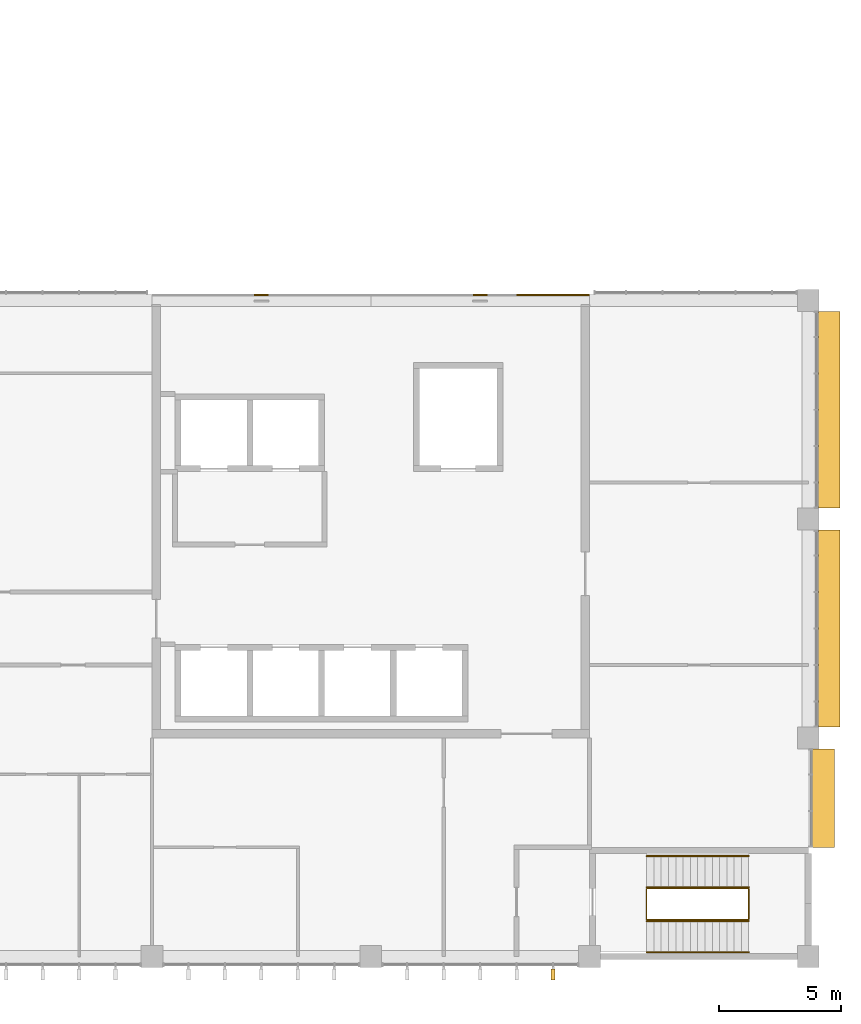
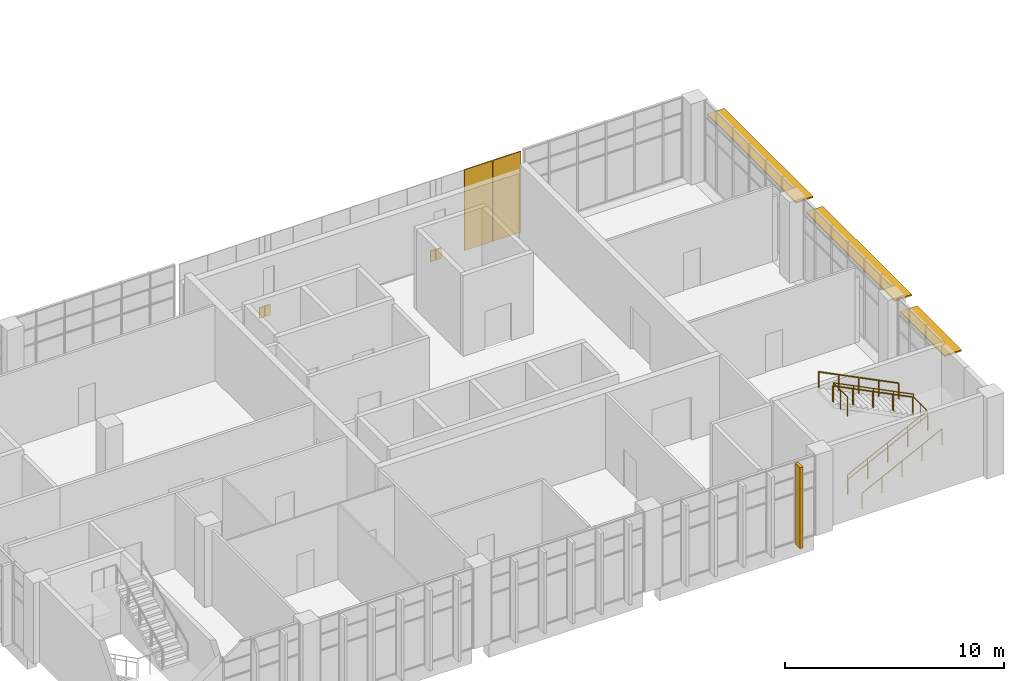
# One storey, part 44 of 45: 6 coverings, 5 railings, 4 shading devices.
"""IFC4 building model written with IfcOpenShell, lengths in metres."""

from ifc_helpers import new_model, si_unit, direction, frame, origin, origin_2d, place, context, subcontext, project, spatial, rectangle, circle, extrude, material, layer, layer_set, type_object, element, save


model = new_model("IFC4")

# Units and contexts
model_context = context("Model", 3, precision=1e-05, world=origin(), true_north=direction((0.0, 1.0)))
body_context = subcontext(model_context, "Body", "Model", "MODEL_VIEW")
ifc_project = project(units=[si_unit("LENGTHUNIT", "METRE"), si_unit("AREAUNIT", "SQUARE_METRE"), si_unit("VOLUMEUNIT", "CUBIC_METRE"), si_unit("PLANEANGLEUNIT", "RADIAN"), si_unit("MASSUNIT", "GRAM", prefix="KILO")], contexts=[model_context])

# Site, building, storey
site_placement = place(None, origin())
site = spatial("IfcSite", under=ifc_project, at=site_placement, CompositionType="ELEMENT")
building_placement = place(site_placement, origin())
building = spatial("IfcBuilding", under=site, at=building_placement, Name="Guidao Yard Department Store", CompositionType="ELEMENT")
storey_placement = place(building_placement, frame((0.0, 0.0, 19.5)))
storey = spatial("IfcBuildingStorey", under=building, at=storey_placement, Name="L04", CompositionType="ELEMENT", Elevation=19.5)

# Coverings
ifc_material_1 = material(Name="Anodised aluminium 6063-T5 cladding", Category="aluminium")
ifc_layer_1 = layer(ifc_material_1, 0.050048828125)
ifc_layer_set_1 = layer_set([ifc_layer_1], Name="Facade cladding CP1 anodised aluminium panel 6063")
covering_type = type_object("IfcCoveringType", Name="Facade cladding CP1 anodised aluminium panel 6063", PredefinedType="CLADDING", material=ifc_layer_set_1)
for number, where, z_axis, x_axis, name in (
    (1, (148.35009765625, 27.22509765625, 0.0), (0.0, 0.0, 1.0), (1.0, 0.0, 0.0), "Core face cladding"),
    (2, (148.64990234375, 27.22509765625, 0.0), (0.0, 0.0, 1.0), (1.0, 0.0, 0.0), "Core face cladding"),
    (3, (157.35009765625, 27.22509765625, 0.0), (0.0, 0.0, 1.0), (1.0, 0.0, 0.0), "Core face cladding"),
    (4, (157.64990234375, 27.22509765625, 0.0), (0.0, 0.0, 1.0), (1.0, 0.0, 0.0), "Core face cladding"),
):
    element("IfcCovering", number, at=place(storey_placement, frame(where, z_axis=z_axis, x_axis=x_axis)), inside=storey, type_object=covering_type, Name=name, PredefinedType="CLADDING", context=body_context, shape_type="SweptSolid", body=[
        extrude(rectangle(XDim=0.280029296875, YDim=0.050048828125, at=origin_2d()), origin(), (0.0, 0.0, 1.0), 0.60009765625),
    ])
for number, where, z_axis, x_axis, name in (
    (5, (159.75, 27.22509765625, 0.0), (0.0, 0.0, 1.0), (1.0, 0.0, 0.0), "Core face cladding"),
    (6, (161.25, 27.22509765625, 0.0), (0.0, 0.0, 1.0), (1.0, 0.0, 0.0), "Core face cladding"),
):
    element("IfcCovering", number, at=place(storey_placement, frame(where, z_axis=z_axis, x_axis=x_axis)), inside=storey, type_object=covering_type, Name=name, PredefinedType="CLADDING", context=body_context, shape_type="SweptSolid", body=[
        extrude(rectangle(XDim=1.47998046875, YDim=0.050048828125, at=origin_2d()), origin(), (0.0, 0.0, 1.0), 4.5),
    ])

# Railings
ifc_material_2 = material(Name="Steel Q235", Category="steel")
railing_type_1 = type_object("IfcRailingType", Name="Guard steel balustrade 1100", PredefinedType="GUARDRAIL", material=ifc_material_2)
railing_placement = place(storey_placement, frame((164.35009765625, 1.52490234375, 0.14990234375)))
element("IfcRailing", 7, at=railing_placement, inside=storey, type_object=railing_type_1, Name="Stair O2 guard L04 10", PredefinedType="GUARDRAIL", context=body_context, shape_type="SweptSolid", body=[
    extrude(circle(Radius=0.02392578125, at=origin_2d()), frame((0.0, 0.0, 1.076171875), z_axis=(0.894416792377, 0.0, 0.447234392142), x_axis=(0.0, 1.0, 0.0)), (0.0, 0.0, 1.0), 4.69580078125),
    extrude(circle(Radius=0.02392578125, at=origin_2d()), frame((4.199951171875, 0.0, 3.17626953125), z_axis=(0.0, 1.0, 0.0), x_axis=(-1.0, 0.0, 0.0)), (0.0, 0.0, 1.0), 1.275146484375),
    extrude(circle(Radius=0.02392578125, at=origin_2d()), frame((4.199951171875, 1.275146484375, 3.17626953125), z_axis=(0.0, 0.0, 1.0), x_axis=(1.0, 0.0, 0.0)), (0.0, 0.0, 1.0), 0.14990234375),
    extrude(circle(Radius=0.02392578125, at=origin_2d()), frame((4.199951171875, 1.275146484375, 3.326171875), z_axis=(-0.894416792377, 0.0, 0.447234392142), x_axis=(0.0, -1.0, 0.0)), (0.0, 0.0, 1.0), 4.69580078125),
    extrude(circle(Radius=0.02392578125, at=origin_2d()), frame((0.0, 1.275146484375, 5.42626953125), z_axis=(0.0, -1.0, 0.0), x_axis=(1.0, 0.0, 0.0)), (0.0, 0.0, 1.0), 1.275146484375),
    extrude(circle(Radius=0.02099609375, at=origin_2d()), origin(), (0.0, 0.0, 1.0), 1.052001953125),
    extrude(circle(Radius=0.02099609375, at=origin_2d()), frame((1.050048828125, 0.0, 0.52490234375)), (0.0, 0.0, 1.0), 1.052001953125),
    extrude(circle(Radius=0.02099609375, at=origin_2d()), frame((2.10009765625, 0.0, 1.050048828125)), (0.0, 0.0, 1.0), 1.052001953125),
    extrude(circle(Radius=0.02099609375, at=origin_2d()), frame((3.14990234375, 0.0, 1.5751953125)), (0.0, 0.0, 1.0), 1.052001953125),
    extrude(circle(Radius=0.02099609375, at=origin_2d()), frame((4.199951171875, 0.0, 2.10009765625)), (0.0, 0.0, 1.0), 1.052001953125),
    extrude(circle(Radius=0.02099609375, at=origin_2d()), frame((4.199951171875, 0.6376953125, 2.10009765625)), (0.0, 0.0, 1.0), 1.052001953125),
    extrude(circle(Radius=0.02099609375, at=origin_2d()), frame((4.199951171875, 1.275146484375, 2.10009765625)), (0.0, 0.0, 1.0), 1.052001953125),
    extrude(circle(Radius=0.02099609375, at=origin_2d()), frame((4.199951171875, 1.275146484375, 2.25)), (0.0, 0.0, 1.0), 1.052001953125),
    extrude(circle(Radius=0.02099609375, at=origin_2d()), frame((3.14990234375, 1.275146484375, 2.77490234375)), (0.0, 0.0, 1.0), 1.052001953125),
    extrude(circle(Radius=0.02099609375, at=origin_2d()), frame((2.10009765625, 1.275146484375, 3.300048828125)), (0.0, 0.0, 1.0), 1.052001953125),
    extrude(circle(Radius=0.02099609375, at=origin_2d()), frame((1.050048828125, 1.275146484375, 3.8251953125)), (0.0, 0.0, 1.0), 1.052001953125),
    extrude(circle(Radius=0.02099609375, at=origin_2d()), frame((0.0, 1.275146484375, 4.35009765625)), (0.0, 0.0, 1.0), 1.052001953125),
    extrude(circle(Radius=0.02099609375, at=origin_2d()), frame((0.0, 0.6376953125, 4.35009765625)), (0.0, 0.0, 1.0), 1.052001953125),
    extrude(circle(Radius=0.02099609375, at=origin_2d()), frame((0.0, 0.0, 4.35009765625)), (0.0, 0.0, 1.0), 1.052001953125),
])
ifc_material_3 = material(Name="Steel Q235", Category="steel")
railing_type_2 = type_object("IfcRailingType", Name="Handrail steel tube 48", PredefinedType="HANDRAIL", material=ifc_material_3)
for number, where, name in (
    (8, (164.35009765625, 0.18505859375, 0.14990234375), "Stair O2 hand rail L04 37"),
    (9, (164.35009765625, 1.465087890625, 0.14990234375), "Stair O2 hand rail L04 38"),
):
    element("IfcRailing", number, at=place(storey_placement, frame(where)), inside=storey, type_object=railing_type_2, Name=name, PredefinedType="HANDRAIL", context=body_context, shape_type="SweptSolid", body=[
        extrude(circle(Radius=0.02392578125, at=origin_2d()), frame((0.0, 0.0, 0.8759765625), z_axis=(0.894416792377, 0.0, 0.447234392142), x_axis=(0.0, 1.0, 0.0)), (0.0, 0.0, 1.0), 4.69580078125),
        extrude(circle(Radius=0.02099609375, at=origin_2d()), origin(), (0.0, 0.0, 1.0), 0.851806640625),
        extrude(circle(Radius=0.02099609375, at=origin_2d()), frame((1.050048828125, 0.0, 0.52490234375)), (0.0, 0.0, 1.0), 0.851806640625),
        extrude(circle(Radius=0.02099609375, at=origin_2d()), frame((2.10009765625, 0.0, 1.050048828125)), (0.0, 0.0, 1.0), 0.851806640625),
        extrude(circle(Radius=0.02099609375, at=origin_2d()), frame((3.14990234375, 0.0, 1.5751953125)), (0.0, 0.0, 1.0), 0.851806640625),
        extrude(circle(Radius=0.02099609375, at=origin_2d()), frame((4.199951171875, 0.0, 2.10009765625)), (0.0, 0.0, 1.0), 0.851806640625),
    ])
for number, where, name in (
    (10, (168.550048828125, 2.860107421875, 2.39990234375), "Stair O2 hand rail L04 39"),
    (11, (168.550048828125, 4.139892578125, 2.39990234375), "Stair O2 hand rail L04 40"),
):
    element("IfcRailing", number, at=place(storey_placement, frame(where)), inside=storey, type_object=railing_type_2, Name=name, PredefinedType="HANDRAIL", context=body_context, shape_type="SweptSolid", body=[
        extrude(circle(Radius=0.02392578125, at=origin_2d()), frame((0.0, 0.0, 0.8759765625), z_axis=(-0.894416792377, 0.0, 0.447234392142), x_axis=(0.0, -1.0, 0.0)), (0.0, 0.0, 1.0), 4.69580078125),
        extrude(circle(Radius=0.02099609375, at=origin_2d()), origin(), (0.0, 0.0, 1.0), 0.851806640625),
        extrude(circle(Radius=0.02099609375, at=origin_2d()), frame((-1.050048828125, 0.0, 0.52490234375)), (0.0, 0.0, 1.0), 0.851806640625),
        extrude(circle(Radius=0.02099609375, at=origin_2d()), frame((-2.10009765625, 0.0, 1.050048828125)), (0.0, 0.0, 1.0), 0.851806640625),
        extrude(circle(Radius=0.02099609375, at=origin_2d()), frame((-3.14990234375, 0.0, 1.5751953125)), (0.0, 0.0, 1.0), 0.851806640625),
        extrude(circle(Radius=0.02099609375, at=origin_2d()), frame((-4.199951171875, 0.0, 2.10009765625)), (0.0, 0.0, 1.0), 0.851806640625),
    ])

# Shading devices
ifc_material_4 = material(Name="Aluminium 6063-T5", Category="aluminium")
ifc_layer_2 = layer(ifc_material_4, 0.080078125)
ifc_layer_set_2 = layer_set([ifc_layer_2], Name="Sunshade blade SB1 aluminium")
shading_device_type_1 = type_object("IfcShadingDeviceType", Name="Sunshade blade SB1 aluminium", PredefinedType="SHUTTER", material=ifc_layer_set_2)
shading_device_1_placement = place(storey_placement, frame((171.6298828125, 6.52490234375, 3.599853515625), z_axis=(0.0, 0.0, 1.0), x_axis=(0.0, -1.0, 0.0)))
element("IfcShadingDevice", 12, at=shading_device_1_placement, inside=storey, type_object=shading_device_type_1, Name="Sunshade blade", PredefinedType="SHUTTER", context=body_context, shape_type="SweptSolid", body=[
    extrude(rectangle(XDim=4.050048828125, YDim=0.89990234375, at=origin_2d()), origin(), (0.0, 0.0, 1.0), 0.080078125),
])
for number, where, z_axis, x_axis, name in (
    (13, (171.860107421875, 13.5, 3.599853515625), (0.0, 0.0, 1.0), (0.0, -1.0, 0.0), "Sunshade blade"),
    (14, (171.860107421875, 22.5, 3.599853515625), (0.0, 0.0, 1.0), (0.0, -1.0, 0.0), "Sunshade blade"),
):
    element("IfcShadingDevice", number, at=place(storey_placement, frame(where, z_axis=z_axis, x_axis=x_axis)), inside=storey, type_object=shading_device_type_1, Name=name, PredefinedType="SHUTTER", context=body_context, shape_type="SweptSolid", body=[
        extrude(rectangle(XDim=8.10009765625, YDim=0.89990234375, at=origin_2d()), origin(), (0.0, 0.0, 1.0), 0.080078125),
    ])
ifc_material_5 = material(Name="Aluminium 6063-T5", Category="aluminium")
shading_device_type_2 = type_object("IfcShadingDeviceType", Name="Vertical fin FN2 aluminium 150 x 450", PredefinedType="SHUTTER", material=ifc_material_5)
shading_device_2_placement = place(storey_placement, frame((160.5, -0.735107421875, 0.0), z_axis=(0.0, 0.0, 1.0), x_axis=(-1.0, 0.0, 0.0)))
element("IfcShadingDevice", 15, at=shading_device_2_placement, inside=storey, type_object=shading_device_type_2, Name="Vertical fin", PredefinedType="SHUTTER", context=body_context, shape_type="SweptSolid", body=[
    extrude(rectangle(XDim=0.14990234375, YDim=0.449951171875, at=origin_2d()), origin(), (0.0, 0.0, 1.0), 4.5),
])

save(model, "model.ifc")
